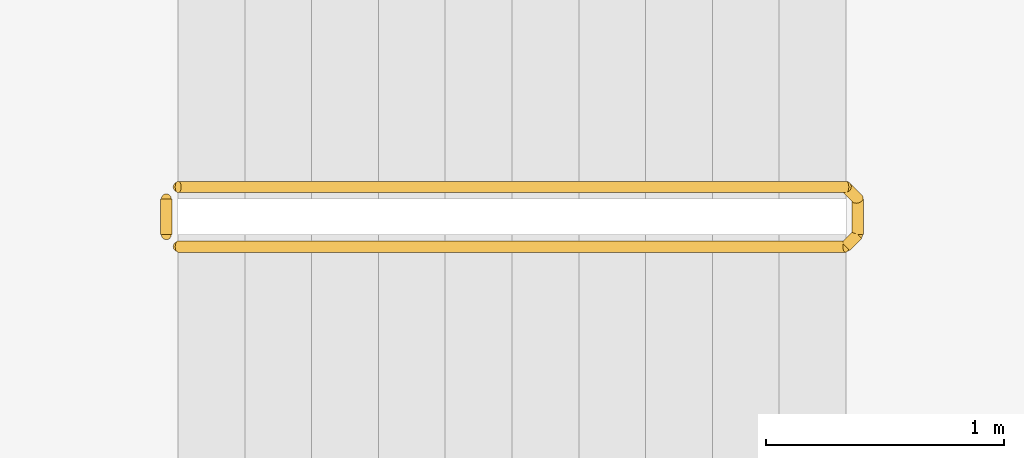
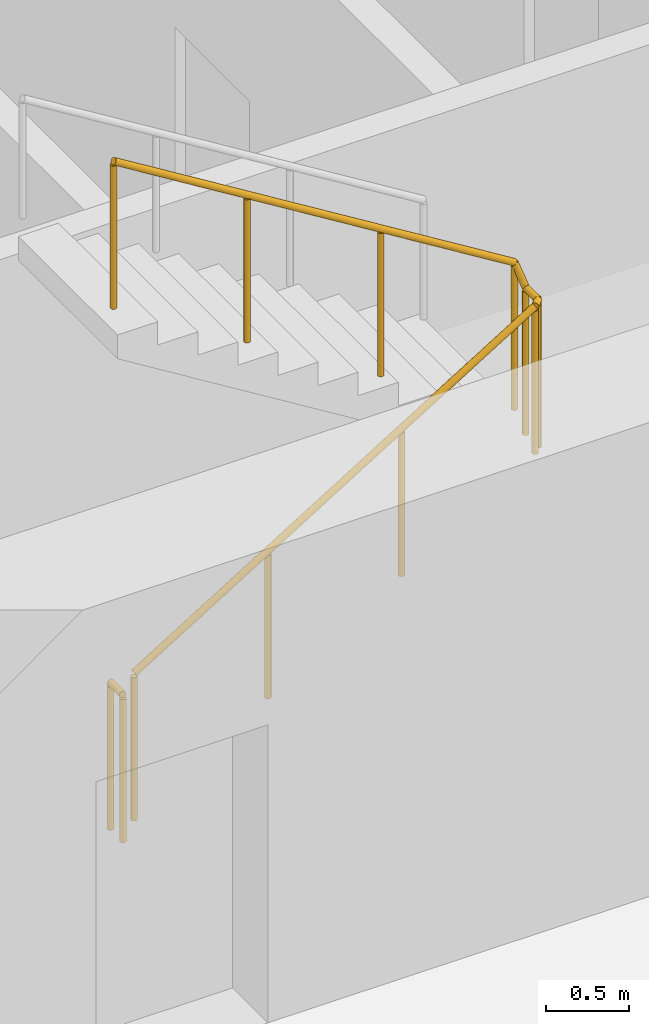
# One storey, part 10 of 14: 2 railings.
"""IFC4 building model written with IfcOpenShell, lengths in metres."""

import ifcopenshell
import ifcopenshell.guid

model = None  # the IFC model being written
_history = None  # IfcOwnerHistory: only IFC2X3 demands one
_inside = {}  # id of a spatial element -> (the spatial element, [elements in it])
_under = {}  # id of a project, library or spatial element -> (it, [spatial elements below it])
_declared = {}  # id of a project -> (the project, [libraries it declares])
_typed = {}  # id of a type object -> (the type object, [elements of that type])
_made_of = {}  # id of a material, layer set ... -> (it, [elements and type objects made of it])


def new_model(schema):
    """Start an empty IFC model of exactly this schema.

    Asked for "IFC4X3", IfcOpenShell would pick the latest addendum, in which some entities
    have other attributes; the version numbers below select the first issue.
    IFC2X3 requires an IfcOwnerHistory on every rooted entity: one is made here for all.
    """
    global model, _history
    if schema == "IFC4X3":
        model = ifcopenshell.file(schema_version=(4, 3, 0, 0))
    else:
        model = ifcopenshell.file(schema=schema)
    _inside.clear()
    _under.clear()
    _declared.clear()
    _typed.clear()
    _made_of.clear()
    _history = None
    if model.schema == "IFC2X3":
        org = make("IfcOrganization", Name="unknown")
        user = make(
            "IfcPersonAndOrganization",
            ThePerson=make("IfcPerson", FamilyName="unknown"),
            TheOrganization=org,
        )
        app = make(
            "IfcApplication",
            ApplicationDeveloper=org,
            Version="unknown",
            ApplicationFullName="unknown",
            ApplicationIdentifier="unknown",
        )
        _history = make(
            "IfcOwnerHistory",
            OwningUser=user,
            OwningApplication=app,
            ChangeAction="ADDED",
            CreationDate=0,
        )
    return model


def make(cls, **values):
    """One entity of the class cls with the attributes given. An attribute that is None is left unset."""
    return model.create_entity(
        cls, **{name: value for name, value in values.items() if value is not None}
    )


def rooted(cls, **values):
    """An entity with a GlobalId (a new one), such as an element, a storey or a relation."""
    return make(cls, GlobalId=ifcopenshell.guid.new(), OwnerHistory=_history, **values)


def si_unit(unit_type, name, prefix=None):
    """IfcSIUnit, for example si_unit("LENGTHUNIT", "METRE", prefix="MILLI")."""
    return make("IfcSIUnit", UnitType=unit_type, Prefix=prefix, Name=name)


def assignment(units):
    """IfcUnitAssignment: the units of a project."""
    return None if units is None else make("IfcUnitAssignment", Units=units)


def point(xyz):
    """IfcCartesianPoint."""
    return None if xyz is None else make("IfcCartesianPoint", Coordinates=xyz)


def direction(xyz):
    """IfcDirection."""
    return None if xyz is None else make("IfcDirection", DirectionRatios=xyz)


def frame(location, z_axis=None, x_axis=None):
    """IfcAxis2Placement3D, a coordinate frame: its origin and axes. An axis left out is left unset."""
    return make(
        "IfcAxis2Placement3D",
        Location=point(location),
        Axis=direction(z_axis),
        RefDirection=direction(x_axis),
    )


def frame_2d(location, x_axis=None):
    """IfcAxis2Placement2D, a coordinate frame in the plane: its origin and x axis."""
    return make(
        "IfcAxis2Placement2D", Location=point(location), RefDirection=direction(x_axis)
    )


def origin():
    """The frame at (0, 0, 0) with its axes left unset."""
    return frame((0.0, 0.0, 0.0))


def origin_2d():
    """The frame at (0, 0) in the plane with its x axis left unset."""
    return frame_2d((0.0, 0.0))


def place(relative_to, where):
    """IfcLocalPlacement: puts the frame where relative to a parent placement (None: the world)."""
    return make(
        "IfcLocalPlacement", PlacementRelTo=relative_to, RelativePlacement=where
    )


def context(
    kind, dimensions, precision=None, world=None, true_north=None, identifier=None
):
    """IfcGeometricRepresentationContext, for example the 3D "Model" context."""
    return make(
        "IfcGeometricRepresentationContext",
        ContextIdentifier=identifier,
        ContextType=kind,
        CoordinateSpaceDimension=dimensions,
        Precision=precision,
        WorldCoordinateSystem=world,
        TrueNorth=true_north,
    )


def subcontext(parent, identifier, kind, view, scale=None):
    """IfcGeometricRepresentationSubContext, for example "Body" below "Model"."""
    return make(
        "IfcGeometricRepresentationSubContext",
        ContextIdentifier=identifier,
        ContextType=kind,
        ParentContext=parent,
        TargetScale=scale,
        TargetView=view,
    )


def project(units=None, contexts=None):
    """IfcProject with its units and contexts."""
    return rooted(
        "IfcProject",
        Name="project",
        RepresentationContexts=contexts,
        UnitsInContext=assignment(units),
    )


def spatial(cls, under=None, at=None, **own):
    """A site, building, storey or space (cls), placed at a placement, below another one or the project."""
    s = rooted(cls, ObjectPlacement=at, **own)
    if under is not None:
        _under.setdefault(under.id(), (under, []))[1].append(s)
    return s


def profile(cls, at=None, kind="AREA", **sizes):
    """A parametric profile (cls). Its sizes go by their IFC names, for example OverallWidth=200.0."""
    return make(cls, ProfileType=kind, Position=at, **sizes)


def circle(**sizes):
    """IfcCircleProfileDef."""
    return profile("IfcCircleProfileDef", **sizes)


def extrude(swept, where, along, depth):
    """IfcExtrudedAreaSolid: the profile swept, set in the frame where, extruded along a direction by depth."""
    return make(
        "IfcExtrudedAreaSolid",
        SweptArea=swept,
        Position=where,
        ExtrudedDirection=direction(along),
        Depth=depth,
    )


def shape(context_of_items, identifier, shape_type, items):
    """IfcShapeRepresentation: the items that make up one representation, for example the "Body"."""
    return make(
        "IfcShapeRepresentation",
        ContextOfItems=context_of_items,
        RepresentationIdentifier=identifier,
        RepresentationType=shape_type,
        Items=items,
    )


def material(Name=None, Category=None):
    """IfcMaterial."""
    return make("IfcMaterial", Name=Name, Category=Category)


def made_of(thing, what):
    """Note that an element or type object is made of a material, layer set ...; save() writes the relation."""
    if what is not None:
        _made_of.setdefault(what.id(), (what, []))[1].append(thing)
    return thing


def type_object(cls, material=None, **own):
    """A type object (cls), such as IfcWallType, which elements share."""
    return made_of(rooted(cls, **own), material)


def element(
    cls,
    number,
    at=None,
    inside=None,
    cuts=None,
    type_object=None,
    material=None,
    context=None,
    identifier="Body",
    shape_type=None,
    held_by="IfcProductDefinitionShape",
    body=None,
    shapes=None,
    **own,
):
    """One element of the class cls, such as IfcWall. Its Tag is "e" and its number.

    at: its placement. inside: the storey or other place that contains it. cuts: it is an
    opening in that element (IfcRelVoidsElement). A single representation is given by context,
    identifier, shape_type and body (its items); several are given by shapes. held_by: the class
    of the entity that holds the representations. save() writes the other relations.
    """
    e = rooted(cls, Tag="e%d" % number, ObjectPlacement=at, **own)
    if body is not None:
        shapes = [shape(context, identifier, shape_type, body)]
    if shapes is not None:
        e.Representation = make(held_by, Representations=shapes)
    if inside is not None:
        _inside.setdefault(inside.id(), (inside, []))[1].append(e)
    if cuts is not None:
        rooted(
            "IfcRelVoidsElement", RelatingBuildingElement=cuts, RelatedOpeningElement=e
        )
    if type_object is not None:
        _typed.setdefault(type_object.id(), (type_object, []))[1].append(e)
    return made_of(e, material)


def aggregate(whole, parts):
    """IfcRelAggregates: a whole, such as a stair, and the parts it consists of."""
    return rooted("IfcRelAggregates", RelatingObject=whole, RelatedObjects=parts)


def save(model, path):
    """Write the relations noted so far, then the file.

    IfcRelAggregates (storeys below a building ...), IfcRelContainedInSpatialStructure (elements
    in a storey), IfcRelDefinesByType, IfcRelAssociatesMaterial and IfcRelDeclares: one each for
    every whole, place, type object, material and project.
    """
    for whole, parts in _under.values():
        aggregate(whole, parts)
    for where, things in _inside.values():
        rooted(
            "IfcRelContainedInSpatialStructure",
            RelatedElements=things,
            RelatingStructure=where,
        )
    for kind, things in _typed.values():
        rooted("IfcRelDefinesByType", RelatedObjects=things, RelatingType=kind)
    for what, things in _made_of.values():
        rooted("IfcRelAssociatesMaterial", RelatedObjects=things, RelatingMaterial=what)
    for by, libraries in _declared.values():
        rooted("IfcRelDeclares", RelatingContext=by, RelatedDefinitions=libraries)
    model.write(path)


model = new_model("IFC4")

# Units and contexts
model_context = context("Model", 3, precision=1e-05, world=origin(), true_north=direction((0.0, 1.0)))
body_context = subcontext(model_context, "Body", "Model", "MODEL_VIEW")
ifc_project = project(units=[si_unit("LENGTHUNIT", "METRE"), si_unit("AREAUNIT", "SQUARE_METRE"), si_unit("VOLUMEUNIT", "CUBIC_METRE"), si_unit("PLANEANGLEUNIT", "RADIAN"), si_unit("MASSUNIT", "GRAM", prefix="KILO")], contexts=[model_context])

# Site, building, storey
site_placement = place(None, origin())
site = spatial("IfcSite", under=ifc_project, at=site_placement, CompositionType="ELEMENT")
building_placement = place(site_placement, origin())
building = spatial("IfcBuilding", under=site, at=building_placement, Name="Orbiselva Terraces", CompositionType="ELEMENT")
storey_placement = place(building_placement, frame((0.0, 0.0, 37.8)))
storey = spatial("IfcBuildingStorey", under=building, at=storey_placement, Name="L09", CompositionType="ELEMENT", Elevation=37.8)

# Railings
ifc_material = material(Name="Stainless steel", Category="steel")
railing_type = type_object("IfcRailingType", Name="CORE-GUARD-1100", PredefinedType="GUARDRAIL", material=ifc_material)
railing_1_placement = place(storey_placement, frame((-7.15, 6.55, 0.172727)))
element("IfcRailing", 1, at=railing_1_placement, inside=storey, type_object=railing_type, Name="L09 S3 stair guard 1", PredefinedType="GUARDRAIL", context=body_context, shape_type="SweptSolid", body=[
    extrude(circle(Radius=0.024, at=origin_2d()), frame((0.0, 0.0, 1.081), z_axis=(0.851088519012, 0.0, 0.52502222125), x_axis=(0.0, 1.0, 0.0)), (0.0, 0.0, 1.0), 3.289905),
    extrude(circle(Radius=0.024, at=origin_2d()), frame((2.8, 0.0, 2.808273), z_axis=(0.707106781187, 0.707106781187, 0.0), x_axis=(-0.707106781187, 0.707106781187, 0.0)), (0.0, 0.0, 1.0), 0.070711),
    extrude(circle(Radius=0.024, at=origin_2d()), frame((2.85, 0.05, 2.808273), z_axis=(0.0, 1.0, 0.0), x_axis=(-1.0, 0.0, 0.0)), (0.0, 0.0, 1.0), 0.15),
    extrude(circle(Radius=0.024, at=origin_2d()), frame((2.85, 0.2, 2.808273), z_axis=(-0.267894925557, 0.267894925557, 0.925453736133), x_axis=(-0.707106781187, -0.707106781187, 0.0)), (0.0, 0.0, 1.0), 0.18664),
    extrude(circle(Radius=0.024, at=origin_2d()), frame((2.8, 0.25, 2.981), z_axis=(-0.851088519012, 0.0, 0.52502222125), x_axis=(0.0, -1.0, 0.0)), (0.0, 0.0, 1.0), 3.289905),
    extrude(circle(Radius=0.021, at=origin_2d()), origin(), (0.0, 0.0, 1.0), 1.057),
    extrude(circle(Radius=0.021, at=origin_2d()), frame((0.933333, 0.0, 0.575758)), (0.0, 0.0, 1.0), 1.057),
    extrude(circle(Radius=0.021, at=origin_2d()), frame((1.866667, 0.0, 1.151515)), (0.0, 0.0, 1.0), 1.057),
    extrude(circle(Radius=0.021, at=origin_2d()), frame((2.8, 0.0, 1.727273)), (0.0, 0.0, 1.0), 1.057),
    extrude(circle(Radius=0.021, at=origin_2d()), frame((2.85, 0.05, 1.727273)), (0.0, 0.0, 1.0), 1.057),
    extrude(circle(Radius=0.021, at=origin_2d()), frame((2.85, 0.2, 1.727273)), (0.0, 0.0, 1.0), 1.057),
    extrude(circle(Radius=0.021, at=origin_2d()), frame((2.8, 0.25, 1.9)), (0.0, 0.0, 1.0), 1.057),
    extrude(circle(Radius=0.021, at=origin_2d()), frame((1.866667, 0.25, 2.475758)), (0.0, 0.0, 1.0), 1.057),
    extrude(circle(Radius=0.021, at=origin_2d()), frame((0.933333, 0.25, 3.051515)), (0.0, 0.0, 1.0), 1.057),
    extrude(circle(Radius=0.021, at=origin_2d()), frame((0.0, 0.25, 3.627273)), (0.0, 0.0, 1.0), 1.057),
])
railing_2_placement = place(storey_placement, frame((-7.2, 6.6, 0.0)))
element("IfcRailing", 2, at=railing_2_placement, inside=storey, type_object=railing_type, Name="L09 S3 stair guard 2", PredefinedType="GUARDRAIL", context=body_context, shape_type="SweptSolid", body=[
    extrude(circle(Radius=0.024, at=origin_2d()), frame((0.0, 0.0, 1.081), z_axis=(0.0, 1.0, 0.0), x_axis=(-1.0, 0.0, 0.0)), (0.0, 0.0, 1.0), 0.15),
    extrude(circle(Radius=0.021, at=origin_2d()), origin(), (0.0, 0.0, 1.0), 1.057),
    extrude(circle(Radius=0.021, at=origin_2d()), frame((0.0, 0.15, 0.0)), (0.0, 0.0, 1.0), 1.057),
])

save(model, "model.ifc")
